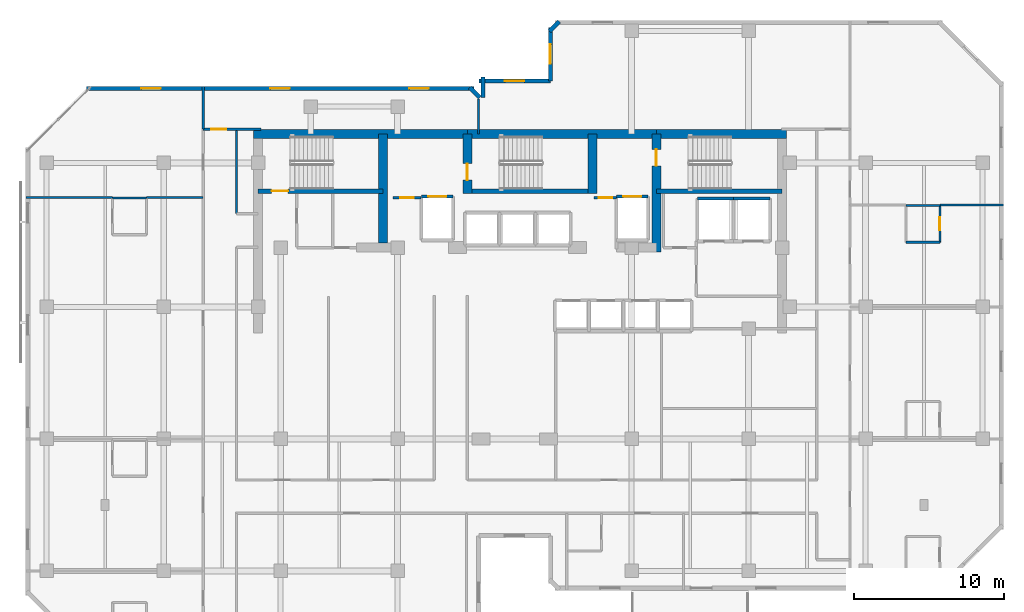
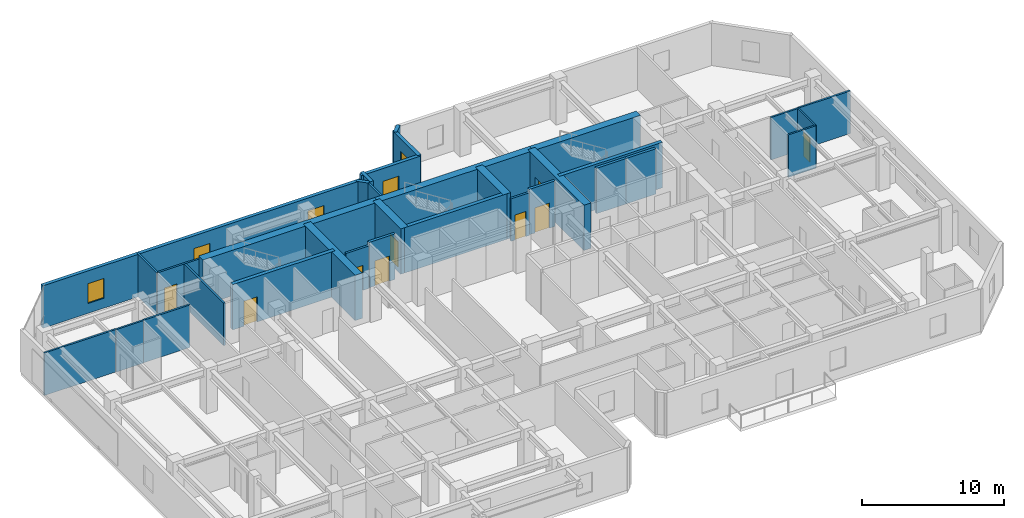
# One storey, part 7 of 10: 33 walls, 9 doors, 5 windows, 14 openings.
"""IFC4 building model written with IfcOpenShell, lengths in metres."""

from ifc_helpers import new_model, si_unit, direction, frame, frame_2d, origin, place, context, subcontext, project, spatial, rectangle, extrude, material, layer, layer_set, type_object, element, fill, save


model = new_model("IFC4")

# Units and contexts
model_context = context("Model", 3, precision=1e-05, world=origin(), true_north=direction((0.0, 1.0)))
body_context = subcontext(model_context, "Body", "Model", "MODEL_VIEW")
ifc_project = project(units=[si_unit("LENGTHUNIT", "METRE"), si_unit("AREAUNIT", "SQUARE_METRE"), si_unit("VOLUMEUNIT", "CUBIC_METRE"), si_unit("PLANEANGLEUNIT", "RADIAN"), si_unit("MASSUNIT", "GRAM", prefix="KILO")], contexts=[model_context])

# Site, building, storey
site_placement = place(None, origin())
site = spatial("IfcSite", under=ifc_project, at=site_placement, CompositionType="ELEMENT")
building_placement = place(site_placement, origin())
building = spatial("IfcBuilding", under=site, at=building_placement, Name="Kestravale Grand Hotel", CompositionType="ELEMENT")
storey_placement = place(building_placement, frame((0.0, 0.0, 196.800048828125)))
storey = spatial("IfcBuildingStorey", under=building, at=storey_placement, Name="L49", CompositionType="ELEMENT", Elevation=196.800048828125)

# Walls
ifc_material_1 = material(Name="Concrete f'c 50 MPa", Category="concrete")
ifc_layer_1 = layer(ifc_material_1, 0.60009765625)
ifc_layer_set_1 = layer_set([ifc_layer_1], Name="EW-CORE-600")
wall_type_1 = type_object("IfcWallType", Name="EW-CORE-600", PredefinedType="SHEAR", material=ifc_layer_set_1)
wall_1_placement = place(storey_placement, frame((21.60009765625, 40.320068359375, 0.0), z_axis=(0.0, 0.0, 1.0), x_axis=(1.0, 0.0, 0.0)))
element("IfcWall", 1, at=wall_1_placement, inside=storey, type_object=wall_type_1, Name="L49 core shear wall N1", PredefinedType="SHEAR", context=body_context, shape_type="SweptSolid", body=[
    extrude(rectangle(XDim=14.25, YDim=0.60009765625, at=frame_2d((7.125, 0.0))), origin(), (0.0, 0.0, 1.0), 3.89990234375),
])
wall_2_placement = place(storey_placement, frame((35.85009765625, 40.320068359375, 0.0), z_axis=(0.0, 0.0, 1.0), x_axis=(1.0, 0.0, 0.0)))
element("IfcWall", 2, at=wall_2_placement, inside=storey, type_object=wall_type_1, Name="L49 core shear wall N2", PredefinedType="SHEAR", context=body_context, shape_type="SweptSolid", body=[
    extrude(rectangle(XDim=12.599853515625, YDim=0.60009765625, at=frame_2d((6.2998046875, 0.0))), origin(), (0.0, 0.0, 1.0), 3.89990234375),
])
wall_3_placement = place(storey_placement, frame((48.449951171875, 40.320068359375, 0.0), z_axis=(0.0, 0.0, 1.0), x_axis=(1.0, 0.0, 0.0)))
element("IfcWall", 3, at=wall_3_placement, inside=storey, type_object=wall_type_1, Name="L49 core shear wall N3", PredefinedType="SHEAR", context=body_context, shape_type="SweptSolid", body=[
    extrude(rectangle(XDim=8.670166015625, YDim=0.60009765625, at=frame_2d((4.3349609375, 0.0))), origin(), (0.0, 0.0, 1.0), 3.89990234375),
])
wall_4_placement = place(storey_placement, frame((30.219970703125, 33.050048828125, 0.0), z_axis=(0.0, 0.0, 1.0), x_axis=(0.0, 1.0, 0.0)))
element("IfcWall", 4, at=wall_4_placement, inside=storey, type_object=wall_type_1, Name="L49 core shear wall X1", PredefinedType="SHEAR", context=body_context, shape_type="SweptSolid", body=[
    extrude(rectangle(XDim=7.27001953125, YDim=0.60009765625, at=frame_2d((3.635009765625, 0.0))), origin(), (0.0, 0.0, 1.0), 3.89990234375),
])

# Wall, opening, door
wall_5_placement = place(storey_placement, frame((35.85009765625, 36.3701171875, 0.0), z_axis=(0.0, 0.0, 1.0), x_axis=(0.0, 1.0, 0.0)))
wall_5 = element("IfcWall", 5, at=wall_5_placement, inside=storey, type_object=wall_type_1, Name="L49 core shear wall X2", PredefinedType="SHEAR", context=body_context, shape_type="SweptSolid", body=[
    extrude(rectangle(XDim=3.949951171875, YDim=0.60009765625, at=frame_2d((1.97509765625, 0.0))), origin(), (0.0, 0.0, 1.0), 3.89990234375),
])
opening_1_placement = place(wall_5_placement, frame((0.8798828125, 0.0, 0.0)))
opening_1 = element("IfcOpeningElement", 6, at=opening_1_placement, cuts=wall_5, Name="Opening D-ST-1100", PredefinedType="OPENING", context=body_context, shape_type="SweptSolid", body=[
    extrude(rectangle(XDim=1.10009765625, YDim=2.14990234375, at=frame_2d((0.550048828125, 1.074951171875))), frame((0.0, 0.31005859375, 0.0), z_axis=(0.0, -1.0, 0.0), x_axis=(1.0, 0.0, 0.0)), (0.0, 0.0, 1.0), 0.6201171875),
])
ifc_material_2 = material(Name="Galvanised 90-minute fire-rated steel stair door", Category="steel")
door_type_1 = type_object("IfcDoorType", Name="D-ST-1100", OperationType="NOTDEFINED", PredefinedType="DOOR", material=ifc_material_2)
door_1_placement = place(opening_1_placement, origin())
door_1 = element("IfcDoor", 7, at=door_1_placement, inside=storey, type_object=door_type_1, Name="L49 Stair ST-2 FSAE fire door", OperationType="SINGLE_SWING_RIGHT", OverallHeight=2.14990234375, OverallWidth=1.10009765625, PredefinedType="DOOR", context=body_context, shape_type="SweptSolid", body=[
    extrude(rectangle(XDim=1.10009765625, YDim=2.14990234375, at=frame_2d((0.550048828125, 1.074951171875))), frame((0.0, 0.02490234375, 0.0), z_axis=(0.0, -1.0, 0.0), x_axis=(1.0, 0.0, 0.0)), (0.0, 0.0, 1.0), 0.050048828125),
])
fill(opening_1, door_1)

# Wall
wall_6_placement = place(storey_placement, frame((44.179931640625, 36.3701171875, 0.0), z_axis=(0.0, 0.0, 1.0), x_axis=(0.0, 1.0, 0.0)))
element("IfcWall", 8, at=wall_6_placement, inside=storey, type_object=wall_type_1, Name="L49 core shear wall X3", PredefinedType="SHEAR", context=body_context, shape_type="SweptSolid", body=[
    extrude(rectangle(XDim=3.949951171875, YDim=0.60009765625, at=frame_2d((1.97509765625, 0.0))), origin(), (0.0, 0.0, 1.0), 3.89990234375),
])

# Wall, opening, door
wall_7_placement = place(storey_placement, frame((48.449951171875, 32.449951171875, 0.0), z_axis=(0.0, 0.0, 1.0), x_axis=(0.0, 1.0, 0.0)))
wall_7 = element("IfcWall", 9, at=wall_7_placement, inside=storey, type_object=wall_type_1, Name="L49 core shear wall X4", PredefinedType="SHEAR", context=body_context, shape_type="SweptSolid", body=[
    extrude(rectangle(XDim=7.8701171875, YDim=0.60009765625, at=frame_2d((3.93505859375, 0.0))), origin(), (0.0, 0.0, 1.0), 3.89990234375),
])
opening_2_placement = place(wall_7_placement, frame((5.75, 0.0, 0.0)))
opening_2 = element("IfcOpeningElement", 10, at=opening_2_placement, cuts=wall_7, Name="Opening D-ST-1100", PredefinedType="OPENING", context=body_context, shape_type="SweptSolid", body=[
    extrude(rectangle(XDim=1.10009765625, YDim=2.14990234375, at=frame_2d((0.550048828125, 1.074951171875))), frame((0.0, 0.31005859375, 0.0), z_axis=(0.0, -1.0, 0.0), x_axis=(1.0, 0.0, 0.0)), (0.0, 0.0, 1.0), 0.6201171875),
])
door_2_placement = place(opening_2_placement, origin())
door_2 = element("IfcDoor", 11, at=door_2_placement, inside=storey, type_object=door_type_1, Name="L49 Stair ST-3 FSAE fire door", OperationType="SINGLE_SWING_RIGHT", OverallHeight=2.14990234375, OverallWidth=1.10009765625, PredefinedType="DOOR", context=body_context, shape_type="SweptSolid", body=[
    extrude(rectangle(XDim=1.10009765625, YDim=2.14990234375, at=frame_2d((0.550048828125, 1.074951171875))), frame((0.0, 0.02490234375, 0.0), z_axis=(0.0, -1.0, 0.0), x_axis=(1.0, 0.0, 0.0)), (0.0, 0.0, 1.0), 0.050048828125),
])
fill(opening_2, door_2)

# Wall
ifc_material_3 = material(Name="Precast concrete f'c 45 MPa", Category="concrete")
ifc_layer_2 = layer(ifc_material_3, 0.280029296875)
ifc_layer_set_2 = layer_set([ifc_layer_2], Name="EW-PREC-280")
wall_type_2 = type_object("IfcWallType", Name="EW-PREC-280", PredefinedType="SOLIDWALL", material=ifc_layer_set_2)
wall_8_placement = place(storey_placement, frame((41.977294921875, 47.829345703125, 0.0), z_axis=(0.0, 0.0, 1.0), x_axis=(-0.706975312048, -0.707238225886, 0.0)))
element("IfcWall", 12, at=wall_8_placement, inside=storey, type_object=wall_type_2, Name="L49 fluted precast facade wall 12", PredefinedType="SOLIDWALL", context=body_context, shape_type="SweptSolid", body=[
    extrude(rectangle(XDim=0.9287109375, YDim=0.280029296875, at=frame_2d((0.46435546875, 0.0))), origin(), (0.0, 0.0, 1.0), 3.64990234375),
])

# Wall, opening, window
wall_9_placement = place(storey_placement, frame((41.389892578125, 47.43994140625, 0.0), z_axis=(0.0, 0.0, 1.0), x_axis=(0.0, -1.0, 0.0)))
wall_9 = element("IfcWall", 13, at=wall_9_placement, inside=storey, type_object=wall_type_2, Name="L49 fluted precast facade wall 13", PredefinedType="SOLIDWALL", context=body_context, shape_type="SweptSolid", body=[
    extrude(rectangle(XDim=3.579833984375, YDim=0.280029296875, at=frame_2d((1.7900390625, 0.0))), origin(), (0.0, 0.0, 1.0), 3.64990234375),
])
opening_3_placement = place(wall_9_placement, frame((1.139892578125, 0.0, 0.85009765625)))
opening_3 = element("IfcOpeningElement", 14, at=opening_3_placement, cuts=wall_9, Name="Opening W-GUEST-1300", PredefinedType="OPENING", context=body_context, shape_type="SweptSolid", body=[
    extrude(rectangle(XDim=1.300048828125, YDim=1.699951171875, at=frame_2d((0.64990234375, 0.85009765625))), frame((0.0, 0.14990234375, 0.0), z_axis=(0.0, -1.0, 0.0), x_axis=(1.0, 0.0, 0.0)), (0.0, 0.0, 1.0), 0.300048828125),
])
ifc_material_4 = material(Name="Insulated low-E double glazing in aluminium frame", Category="aluminium")
window_type = type_object("IfcWindowType", Name="W-GUEST-1300", PartitioningType="SINGLE_PANEL", PredefinedType="WINDOW", material=ifc_material_4)
window_1_placement = place(opening_3_placement, origin())
window_1 = element("IfcWindow", 15, at=window_1_placement, inside=storey, type_object=window_type, Name="L49 exterior window 13.1", OverallHeight=1.699951171875, OverallWidth=1.300048828125, PartitioningType="SINGLE_PANEL", PredefinedType="WINDOW", context=body_context, shape_type="SweptSolid", body=[
    extrude(rectangle(XDim=1.300048828125, YDim=1.699951171875, at=frame_2d((0.64990234375, 0.85009765625))), frame((0.0, 0.030029296875, 0.0), z_axis=(0.0, -1.0, 0.0), x_axis=(1.0, 0.0, 0.0)), (0.0, 0.0, 1.0), 0.06005859375),
])
fill(opening_3, window_1)

wall_10_placement = place(storey_placement, frame((41.389892578125, 43.860107421875, 0.0), z_axis=(0.0, 0.0, 1.0), x_axis=(-1.0, 0.0, 0.0)))
wall_10 = element("IfcWall", 16, at=wall_10_placement, inside=storey, type_object=wall_type_2, Name="L49 fluted precast facade wall 14", PredefinedType="SOLIDWALL", context=body_context, shape_type="SweptSolid", body=[
    extrude(rectangle(XDim=4.77978515625, YDim=0.280029296875, at=frame_2d((2.389892578125, 0.0))), origin(), (0.0, 0.0, 1.0), 3.64990234375),
])
opening_4_placement = place(wall_10_placement, frame((1.739990234375, 0.0, 0.85009765625)))
opening_4 = element("IfcOpeningElement", 17, at=opening_4_placement, cuts=wall_10, Name="Opening W-GUEST-1300", PredefinedType="OPENING", context=body_context, shape_type="SweptSolid", body=[
    extrude(rectangle(XDim=1.300048828125, YDim=1.699951171875, at=frame_2d((0.64990234375, 0.85009765625))), frame((0.0, 0.14990234375, 0.0), z_axis=(0.0, -1.0, 0.0), x_axis=(1.0, 0.0, 0.0)), (0.0, 0.0, 1.0), 0.300048828125),
])
window_2_placement = place(opening_4_placement, origin())
window_2 = element("IfcWindow", 18, at=window_2_placement, inside=storey, type_object=window_type, Name="L49 exterior window 14.1", OverallHeight=1.699951171875, OverallWidth=1.300048828125, PartitioningType="SINGLE_PANEL", PredefinedType="WINDOW", context=body_context, shape_type="SweptSolid", body=[
    extrude(rectangle(XDim=1.300048828125, YDim=1.699951171875, at=frame_2d((0.64990234375, 0.85009765625))), frame((0.0, 0.030029296875, 0.0), z_axis=(0.0, -1.0, 0.0), x_axis=(1.0, 0.0, 0.0)), (0.0, 0.0, 1.0), 0.06005859375),
])
fill(opening_4, window_2)

# Walls
wall_11_placement = place(storey_placement, frame((36.889892578125, 44.139892578125, 0.0), z_axis=(0.0, 0.0, 1.0), x_axis=(0.0, -1.0, 0.0)))
element("IfcWall", 19, at=wall_11_placement, inside=storey, type_object=wall_type_2, Name="L49 fluted precast facade wall 15", PredefinedType="SOLIDWALL", context=body_context, shape_type="SweptSolid", body=[
    extrude(rectangle(XDim=1.3798828125, YDim=0.280029296875, at=frame_2d((0.68994140625, 0.0))), origin(), (0.0, 0.0, 1.0), 3.64990234375),
])
wall_12_placement = place(storey_placement, frame((36.67919921875, 42.772705078125, 0.0), z_axis=(0.0, 0.0, 1.0), x_axis=(-0.707106781187, 0.707106781187, 0.0)))
element("IfcWall", 20, at=wall_12_placement, inside=storey, type_object=wall_type_2, Name="L49 fluted precast facade wall 16", PredefinedType="SOLIDWALL", context=body_context, shape_type="SweptSolid", body=[
    extrude(rectangle(XDim=0.928466796875, YDim=0.280029296875, at=frame_2d((0.46435546875, 0.0))), origin(), (0.0, 0.0, 1.0), 3.64990234375),
])

# Wall, openings, windows
wall_13_placement = place(storey_placement, frame((36.2900390625, 43.360107421875, 0.0), z_axis=(0.0, 0.0, 1.0), x_axis=(-1.0, 0.0, 0.0)))
wall_13 = element("IfcWall", 21, at=wall_13_placement, inside=storey, type_object=wall_type_2, Name="L49 fluted precast facade wall 17", PredefinedType="SOLIDWALL", context=body_context, shape_type="SweptSolid", body=[
    extrude(rectangle(XDim=25.830078125, YDim=0.280029296875, at=frame_2d((12.9150390625, 0.0))), origin(), (0.0, 0.0, 1.0), 3.64990234375),
])
opening_5_placement = place(wall_13_placement, frame((3.0048828125, 0.0, 0.85009765625)))
opening_5 = element("IfcOpeningElement", 22, at=opening_5_placement, cuts=wall_13, Name="Opening W-GUEST-1300", PredefinedType="OPENING", context=body_context, shape_type="SweptSolid", body=[
    extrude(rectangle(XDim=1.300048828125, YDim=1.699951171875, at=frame_2d((0.64990234375, 0.85009765625))), frame((0.0, 0.14990234375, 0.0), z_axis=(0.0, -1.0, 0.0), x_axis=(1.0, 0.0, 0.0)), (0.0, 0.0, 1.0), 0.300048828125),
])
opening_6_placement = place(wall_13_placement, frame((12.264892578125, 0.0, 0.85009765625)))
opening_6 = element("IfcOpeningElement", 23, at=opening_6_placement, cuts=wall_13, Name="Opening W-GUEST-1300", PredefinedType="OPENING", context=body_context, shape_type="SweptSolid", body=[
    extrude(rectangle(XDim=1.300048828125, YDim=1.699951171875, at=frame_2d((0.64990234375, 0.85009765625))), frame((0.0, 0.14990234375, 0.0), z_axis=(0.0, -1.0, 0.0), x_axis=(1.0, 0.0, 0.0)), (0.0, 0.0, 1.0), 0.300048828125),
])
opening_7_placement = place(wall_13_placement, frame((20.875, 0.0, 0.85009765625)))
opening_7 = element("IfcOpeningElement", 24, at=opening_7_placement, cuts=wall_13, Name="Opening W-GUEST-1300", PredefinedType="OPENING", context=body_context, shape_type="SweptSolid", body=[
    extrude(rectangle(XDim=1.300048828125, YDim=1.699951171875, at=frame_2d((0.64990234375, 0.85009765625))), frame((0.0, 0.14990234375, 0.0), z_axis=(0.0, -1.0, 0.0), x_axis=(1.0, 0.0, 0.0)), (0.0, 0.0, 1.0), 0.300048828125),
])
window_3_placement = place(opening_5_placement, origin())
window_3 = element("IfcWindow", 25, at=window_3_placement, inside=storey, type_object=window_type, Name="L49 exterior window 17.1", OverallHeight=1.699951171875, OverallWidth=1.300048828125, PartitioningType="SINGLE_PANEL", PredefinedType="WINDOW", context=body_context, shape_type="SweptSolid", body=[
    extrude(rectangle(XDim=1.300048828125, YDim=1.699951171875, at=frame_2d((0.64990234375, 0.85009765625))), frame((0.0, 0.030029296875, 0.0), z_axis=(0.0, -1.0, 0.0), x_axis=(1.0, 0.0, 0.0)), (0.0, 0.0, 1.0), 0.06005859375),
])
fill(opening_5, window_3)
window_4_placement = place(opening_6_placement, origin())
window_4 = element("IfcWindow", 26, at=window_4_placement, inside=storey, type_object=window_type, Name="L49 exterior window 17.2", OverallHeight=1.699951171875, OverallWidth=1.300048828125, PartitioningType="SINGLE_PANEL", PredefinedType="WINDOW", context=body_context, shape_type="SweptSolid", body=[
    extrude(rectangle(XDim=1.300048828125, YDim=1.699951171875, at=frame_2d((0.64990234375, 0.85009765625))), frame((0.0, 0.030029296875, 0.0), z_axis=(0.0, -1.0, 0.0), x_axis=(1.0, 0.0, 0.0)), (0.0, 0.0, 1.0), 0.06005859375),
])
fill(opening_6, window_4)
window_5_placement = place(opening_7_placement, origin())
window_5 = element("IfcWindow", 27, at=window_5_placement, inside=storey, type_object=window_type, Name="L49 exterior window 17.3", OverallHeight=1.699951171875, OverallWidth=1.300048828125, PartitioningType="SINGLE_PANEL", PredefinedType="WINDOW", context=body_context, shape_type="SweptSolid", body=[
    extrude(rectangle(XDim=1.300048828125, YDim=1.699951171875, at=frame_2d((0.64990234375, 0.85009765625))), frame((0.0, 0.030029296875, 0.0), z_axis=(0.0, -1.0, 0.0), x_axis=(1.0, 0.0, 0.0)), (0.0, 0.0, 1.0), 0.06005859375),
])
fill(opening_7, window_5)

# Wall, opening, door
ifc_material_5 = material(Name="Concrete f'c 45 MPa", Category="concrete")
ifc_layer_3 = layer(ifc_material_5, 0.300048828125)
ifc_layer_set_3 = layer_set([ifc_layer_3], Name="EW-STAIR-300")
wall_type_3 = type_object("IfcWallType", Name="EW-STAIR-300", PredefinedType="SHEAR", material=ifc_layer_set_3)
wall_14_placement = place(storey_placement, frame((21.89990234375, 36.52001953125, 0.0), z_axis=(0.0, 0.0, 1.0), x_axis=(1.0, 0.0, 0.0)))
wall_14 = element("IfcWall", 28, at=wall_14_placement, inside=storey, type_object=wall_type_3, Name="L49 stair enclosure shear wall SST1", PredefinedType="SHEAR", context=body_context, shape_type="SweptSolid", body=[
    extrude(rectangle(XDim=8.320068359375, YDim=0.300048828125, at=frame_2d((4.16015625, 0.0))), origin(), (0.0, 0.0, 1.0), 3.89990234375),
])
opening_8_placement = place(wall_14_placement, frame((0.89990234375, 0.0, 0.0)))
opening_8 = element("IfcOpeningElement", 29, at=opening_8_placement, cuts=wall_14, Name="Opening D-ST-1100", PredefinedType="OPENING", context=body_context, shape_type="SweptSolid", body=[
    extrude(rectangle(XDim=1.10009765625, YDim=2.14990234375, at=frame_2d((0.550048828125, 1.074951171875))), frame((0.0, 0.159912109375, 0.0), z_axis=(0.0, -1.0, 0.0), x_axis=(1.0, 0.0, 0.0)), (0.0, 0.0, 1.0), 0.320068359375),
])
door_3_placement = place(opening_8_placement, origin())
door_3 = element("IfcDoor", 30, at=door_3_placement, inside=storey, type_object=door_type_1, Name="L49 Stair ST-1 fire door", OperationType="SINGLE_SWING_RIGHT", OverallHeight=2.14990234375, OverallWidth=1.10009765625, PredefinedType="DOOR", context=body_context, shape_type="SweptSolid", body=[
    extrude(rectangle(XDim=1.10009765625, YDim=2.14990234375, at=frame_2d((0.550048828125, 1.074951171875))), frame((0.0, 0.02490234375, 0.0), z_axis=(0.0, -1.0, 0.0), x_axis=(1.0, 0.0, 0.0)), (0.0, 0.0, 1.0), 0.050048828125),
])
fill(opening_8, door_3)

# Walls
wall_15_placement = place(storey_placement, frame((35.85009765625, 36.52001953125, 0.0), z_axis=(0.0, 0.0, 1.0), x_axis=(1.0, 0.0, 0.0)))
element("IfcWall", 31, at=wall_15_placement, inside=storey, type_object=wall_type_3, Name="L49 stair enclosure shear wall SST2", PredefinedType="SHEAR", context=body_context, shape_type="SweptSolid", body=[
    extrude(rectangle(XDim=8.329833984375, YDim=0.300048828125, at=frame_2d((4.1650390625, 0.0))), origin(), (0.0, 0.0, 1.0), 3.89990234375),
])
wall_16_placement = place(storey_placement, frame((48.449951171875, 36.52001953125, 0.0), z_axis=(0.0, 0.0, 1.0), x_axis=(1.0, 0.0, 0.0)))
element("IfcWall", 32, at=wall_16_placement, inside=storey, type_object=wall_type_3, Name="L49 stair enclosure shear wall SST3", PredefinedType="SHEAR", context=body_context, shape_type="SweptSolid", body=[
    extrude(rectangle(XDim=8.3701171875, YDim=0.300048828125, at=frame_2d((4.18505859375, 0.0))), origin(), (0.0, 0.0, 1.0), 3.89990234375),
])
ifc_material_6 = material(Name="Acoustic fire-rated gypsum board partition", Category="other")
ifc_layer_4 = layer(ifc_material_6, 0.159912109375)
ifc_layer_set_4 = layer_set([ifc_layer_4], Name="IW-CORR-160")
wall_type_4 = type_object("IfcWallType", Name="IW-CORR-160", PredefinedType="PARTITIONING", material=ifc_layer_set_4)
wall_17_placement = place(storey_placement, frame((20.4599609375, 35.02001953125, 0.0), z_axis=(0.0, 0.0, 1.0), x_axis=(0.0, 1.0, 0.0)))
element("IfcWall", 33, at=wall_17_placement, inside=storey, type_object=wall_type_4, Name="W-L49-SW-EN", PredefinedType="PARTITIONING", context=body_context, shape_type="SweptSolid", body=[
    extrude(rectangle(XDim=5.6298828125, YDim=0.159912109375, at=frame_2d((2.81494140625, 0.0))), origin(), (0.0, 0.0, 1.0), 3.64990234375),
])

# Wall, opening, door
ifc_material_7 = material(Name="Fire-rated gypsum board on steel studs with mineral wool", Category="steel")
ifc_layer_5 = layer(ifc_material_7, 0.179931640625)
ifc_layer_set_5 = layer_set([ifc_layer_5], Name="IW-FSAE-180")
wall_type_5 = type_object("IfcWallType", Name="IW-FSAE-180", PredefinedType="PARTITIONING", material=ifc_layer_set_5)
wall_18_placement = place(storey_placement, frame((30.89990234375, 36.080078125, 0.0), z_axis=(0.0, 0.0, 1.0), x_axis=(1.0, 0.0, 0.0)))
wall_18 = element("IfcWall", 34, at=wall_18_placement, inside=storey, type_object=wall_type_5, Name="L49 FSAE Lobby 1 smoke barrier", PredefinedType="PARTITIONING", context=body_context, shape_type="SweptSolid", body=[
    extrude(rectangle(XDim=1.85009765625, YDim=0.179931640625, at=frame_2d((0.925048828125, 0.0))), origin(), (0.0, 0.0, 1.0), 3.64990234375),
])
opening_9_placement = place(wall_18_placement, frame((0.47998046875, 0.0, 0.0)))
opening_9 = element("IfcOpeningElement", 35, at=opening_9_placement, cuts=wall_18, Name="Opening D-FSAE-1000", PredefinedType="OPENING", context=body_context, shape_type="SweptSolid", body=[
    extrude(rectangle(XDim=0.89990234375, YDim=2.14990234375, at=frame_2d((0.449951171875, 1.074951171875))), frame((0.0, 0.099853515625, 0.0), z_axis=(0.0, -1.0, 0.0), x_axis=(1.0, 0.0, 0.0)), (0.0, 0.0, 1.0), 0.199951171875),
])
ifc_material_8 = material(Name="Smoke-gasketed FSAE lobby fire door", Category="steel")
door_type_2 = type_object("IfcDoorType", Name="D-FSAE-1000", OperationType="NOTDEFINED", PredefinedType="DOOR", material=ifc_material_8)
door_4_placement = place(opening_9_placement, origin())
door_4 = element("IfcDoor", 36, at=door_4_placement, inside=storey, type_object=door_type_2, Name="L49 FSAE Lobby 1 fire door", OperationType="SINGLE_SWING_RIGHT", OverallHeight=2.14990234375, OverallWidth=0.89990234375, PredefinedType="DOOR", context=body_context, shape_type="SweptSolid", body=[
    extrude(rectangle(XDim=0.89990234375, YDim=2.14990234375, at=frame_2d((0.449951171875, 1.074951171875))), frame((0.0, 0.02490234375, 0.0), z_axis=(0.0, -1.0, 0.0), x_axis=(1.0, 0.0, 0.0)), (0.0, 0.0, 1.0), 0.050048828125),
])
fill(opening_9, door_4)

wall_19_placement = place(storey_placement, frame((44.300048828125, 36.080078125, 0.0), z_axis=(0.0, 0.0, 1.0), x_axis=(1.0, 0.0, 0.0)))
wall_19 = element("IfcWall", 37, at=wall_19_placement, inside=storey, type_object=wall_type_5, Name="L49 FSAE Lobby 2 smoke barrier", PredefinedType="PARTITIONING", context=body_context, shape_type="SweptSolid", body=[
    extrude(rectangle(XDim=1.5, YDim=0.179931640625, at=frame_2d((0.75, 0.0))), origin(), (0.0, 0.0, 1.0), 3.64990234375),
])
opening_10_placement = place(wall_19_placement, frame((0.300048828125, 0.0, 0.0)))
opening_10 = element("IfcOpeningElement", 38, at=opening_10_placement, cuts=wall_19, Name="Opening D-FSAE-1000", PredefinedType="OPENING", context=body_context, shape_type="SweptSolid", body=[
    extrude(rectangle(XDim=0.89990234375, YDim=2.14990234375, at=frame_2d((0.449951171875, 1.074951171875))), frame((0.0, 0.099853515625, 0.0), z_axis=(0.0, -1.0, 0.0), x_axis=(1.0, 0.0, 0.0)), (0.0, 0.0, 1.0), 0.199951171875),
])
door_5_placement = place(opening_10_placement, origin())
door_5 = element("IfcDoor", 39, at=door_5_placement, inside=storey, type_object=door_type_2, Name="L49 FSAE Lobby 2 fire door", OperationType="SINGLE_SWING_LEFT", OverallHeight=2.14990234375, OverallWidth=0.89990234375, PredefinedType="DOOR", context=body_context, shape_type="SweptSolid", body=[
    extrude(rectangle(XDim=0.89990234375, YDim=2.14990234375, at=frame_2d((0.449951171875, 1.074951171875))), frame((0.0, 0.02490234375, 0.0), z_axis=(0.0, -1.0, 0.0), x_axis=(1.0, 0.0, 0.0)), (0.0, 0.0, 1.0), 0.050048828125),
])
fill(opening_10, door_5)

# Wall
ifc_material_9 = material(Name="Moisture-resistant tile-backer plumbing chase wall", Category="other")
ifc_layer_6 = layer(ifc_material_9, 0.139892578125)
ifc_layer_set_6 = layer_set([ifc_layer_6], Name="IW-PLB-140")
wall_type_6 = type_object("IfcWallType", Name="IW-PLB-140", PredefinedType="PLUMBINGWALL", material=ifc_layer_set_6)
wall_20_placement = place(storey_placement, frame((12.199951171875, 36.06005859375, 0.0), z_axis=(0.0, 0.0, 1.0), x_axis=(1.0, 0.0, 0.0)))
element("IfcWall", 40, at=wall_20_placement, inside=storey, type_object=wall_type_6, Name="W-L49-U04-BN", PredefinedType="PLUMBINGWALL", context=body_context, shape_type="SweptSolid", body=[
    extrude(rectangle(XDim=2.25, YDim=0.139892578125, at=frame_2d((1.125, 0.0))), origin(), (0.0, 0.0, 1.0), 3.64990234375),
])

# Wall, opening, door
wall_21_placement = place(storey_placement, frame((67.35009765625, 33.110107421875, 0.0), z_axis=(0.0, 0.0, 1.0), x_axis=(0.0, 1.0, 0.0)))
wall_21 = element("IfcWall", 41, at=wall_21_placement, inside=storey, type_object=wall_type_6, Name="W-L49-U07-BE", PredefinedType="PLUMBINGWALL", context=body_context, shape_type="SweptSolid", body=[
    extrude(rectangle(XDim=2.449951171875, YDim=0.139892578125, at=frame_2d((1.22509765625, 0.0))), origin(), (0.0, 0.0, 1.0), 3.64990234375),
])
opening_11_placement = place(wall_21_placement, frame((0.784912109375, 0.0, 0.0)))
opening_11 = element("IfcOpeningElement", 42, at=opening_11_placement, cuts=wall_21, Name="Opening D-BATH-880", PredefinedType="OPENING", context=body_context, shape_type="SweptSolid", body=[
    extrude(rectangle(XDim=0.8798828125, YDim=2.050048828125, at=frame_2d((0.43994140625, 1.02490234375))), frame((0.0, 0.079833984375, 0.0), z_axis=(0.0, -1.0, 0.0), x_axis=(1.0, 0.0, 0.0)), (0.0, 0.0, 1.0), 0.159912109375),
])
ifc_material_10 = material(Name="Moisture-sealed walnut en-suite bathroom door", Category="wood")
door_type_3 = type_object("IfcDoorType", Name="D-BATH-880", OperationType="NOTDEFINED", PredefinedType="DOOR", material=ifc_material_10)
door_6_placement = place(opening_11_placement, origin())
door_6 = element("IfcDoor", 43, at=door_6_placement, inside=storey, type_object=door_type_3, Name="D-L49-U07-BATH", OperationType="SINGLE_SWING_RIGHT", OverallHeight=2.050048828125, OverallWidth=0.8798828125, PredefinedType="DOOR", context=body_context, shape_type="SweptSolid", body=[
    extrude(rectangle(XDim=0.8798828125, YDim=2.050048828125, at=frame_2d((0.43994140625, 1.02490234375))), frame((0.0, 0.02490234375, 0.0), z_axis=(0.0, -1.0, 0.0), x_axis=(1.0, 0.0, 0.0)), (0.0, 0.0, 1.0), 0.050048828125),
])
fill(opening_11, door_6)

# Walls
for number, where, z_axis, x_axis, name in (
    (44, (65.10009765625, 33.110107421875, 0.0), (0.0, 0.0, 1.0), (1.0, 0.0, 0.0), "W-L49-U07-BS"),
    (45, (65.10009765625, 35.56005859375, 0.0), (0.0, 0.0, 1.0), (1.0, 0.0, 0.0), "W-L49-U07-BN"),
):
    element("IfcWall", number, at=place(storey_placement, frame(where, z_axis=z_axis, x_axis=x_axis)), inside=storey, type_object=wall_type_6, Name=name, PredefinedType="PLUMBINGWALL", context=body_context, shape_type="SweptSolid", body=[
        extrude(rectangle(XDim=2.25, YDim=0.139892578125, at=frame_2d((1.125, 0.0))), origin(), (0.0, 0.0, 1.0), 3.64990234375),
    ])
ifc_material_11 = material(Name="Concrete f'c 45 MPa", Category="concrete")
ifc_layer_7 = layer(ifc_material_11, 0.219970703125)
ifc_layer_set_7 = layer_set([ifc_layer_7], Name="IW-SHAFT-220")
wall_type_7 = type_object("IfcWallType", Name="IW-SHAFT-220", PredefinedType="SHEAR", material=ifc_layer_set_7)
wall_22_placement = place(storey_placement, frame((51.179931640625, 36.030029296875, 0.0), z_axis=(0.0, 0.0, 1.0), x_axis=(1.0, 0.0, 0.0)))
element("IfcWall", 46, at=wall_22_placement, inside=storey, type_object=wall_type_7, Name="L49 SL-1 north shaft wall", PredefinedType="SHEAR", context=body_context, shape_type="SweptSolid", body=[
    extrude(rectangle(XDim=2.420166015625, YDim=0.219970703125, at=frame_2d((1.2099609375, 0.0))), origin(), (0.0, 0.0, 1.0), 3.89990234375),
])
wall_23_placement = place(storey_placement, frame((53.60009765625, 36.030029296875, 0.0), z_axis=(0.0, 0.0, 1.0), x_axis=(1.0, 0.0, 0.0)))
element("IfcWall", 47, at=wall_23_placement, inside=storey, type_object=wall_type_7, Name="L49 SL-2 north shaft wall", PredefinedType="SHEAR", context=body_context, shape_type="SweptSolid", body=[
    extrude(rectangle(XDim=2.419921875, YDim=0.219970703125, at=frame_2d((1.2099609375, 0.0))), origin(), (0.0, 0.0, 1.0), 3.89990234375),
])

# Wall, opening, door
wall_24_placement = place(storey_placement, frame((32.804931640625, 36.155029296875, 0.0), z_axis=(0.0, 0.0, 1.0), x_axis=(1.0, 0.0, 0.0)))
wall_24 = element("IfcWall", 48, at=wall_24_placement, inside=storey, type_object=wall_type_7, Name="L49 FL-1 north shaft wall", PredefinedType="SHEAR", context=body_context, shape_type="SweptSolid", body=[
    extrude(rectangle(XDim=2.090087890625, YDim=0.219970703125, at=frame_2d((1.044921875, 0.0))), origin(), (0.0, 0.0, 1.0), 3.89990234375),
])
opening_12_placement = place(wall_24_placement, frame((0.445068359375, 0.0, 0.0)))
opening_12 = element("IfcOpeningElement", 49, at=opening_12_placement, cuts=wall_24, Name="Opening LD-FSAE-1200", PredefinedType="OPENING", context=body_context, shape_type="SweptSolid", body=[
    extrude(rectangle(XDim=1.199951171875, YDim=2.14990234375, at=frame_2d((0.60009765625, 1.074951171875))), frame((0.0, 0.119873046875, 0.0), z_axis=(0.0, -1.0, 0.0), x_axis=(1.0, 0.0, 0.0)), (0.0, 0.0, 1.0), 0.239990234375),
])
ifc_material_12 = material(Name="Stainless fire-service sliding elevator landing door", Category="steel")
door_type_4 = type_object("IfcDoorType", Name="LD-FSAE-1200", OperationType="NOTDEFINED", PredefinedType="DOOR", material=ifc_material_12)
door_7_placement = place(opening_12_placement, origin())
door_7 = element("IfcDoor", 50, at=door_7_placement, inside=storey, type_object=door_type_4, Name="L49 FL-1 elevator landing sliding door", OperationType="DOUBLE_DOOR_SLIDING", OverallHeight=2.14990234375, OverallWidth=1.199951171875, PredefinedType="DOOR", context=body_context, shape_type="SweptSolid", body=[
    extrude(rectangle(XDim=1.199951171875, YDim=2.14990234375, at=frame_2d((0.60009765625, 1.074951171875))), frame((0.0, 0.02490234375, 0.0), z_axis=(0.0, -1.0, 0.0), x_axis=(1.0, 0.0, 0.0)), (0.0, 0.0, 1.0), 0.050048828125),
])
fill(opening_12, door_7)

wall_25_placement = place(storey_placement, frame((45.804931640625, 36.155029296875, 0.0), z_axis=(0.0, 0.0, 1.0), x_axis=(1.0, 0.0, 0.0)))
wall_25 = element("IfcWall", 51, at=wall_25_placement, inside=storey, type_object=wall_type_7, Name="L49 FL-2 north shaft wall", PredefinedType="SHEAR", context=body_context, shape_type="SweptSolid", body=[
    extrude(rectangle(XDim=2.090087890625, YDim=0.219970703125, at=frame_2d((1.044921875, 0.0))), origin(), (0.0, 0.0, 1.0), 3.89990234375),
])
opening_13_placement = place(wall_25_placement, frame((0.445068359375, 0.0, 0.0)))
opening_13 = element("IfcOpeningElement", 52, at=opening_13_placement, cuts=wall_25, Name="Opening LD-FSAE-1200", PredefinedType="OPENING", context=body_context, shape_type="SweptSolid", body=[
    extrude(rectangle(XDim=1.199951171875, YDim=2.14990234375, at=frame_2d((0.60009765625, 1.074951171875))), frame((0.0, 0.119873046875, 0.0), z_axis=(0.0, -1.0, 0.0), x_axis=(1.0, 0.0, 0.0)), (0.0, 0.0, 1.0), 0.239990234375),
])
door_8_placement = place(opening_13_placement, origin())
door_8 = element("IfcDoor", 53, at=door_8_placement, inside=storey, type_object=door_type_4, Name="L49 FL-2 elevator landing sliding door", OperationType="DOUBLE_DOOR_SLIDING", OverallHeight=2.14990234375, OverallWidth=1.199951171875, PredefinedType="DOOR", context=body_context, shape_type="SweptSolid", body=[
    extrude(rectangle(XDim=1.199951171875, YDim=2.14990234375, at=frame_2d((0.60009765625, 1.074951171875))), frame((0.0, 0.02490234375, 0.0), z_axis=(0.0, -1.0, 0.0), x_axis=(1.0, 0.0, 0.0)), (0.0, 0.0, 1.0), 0.050048828125),
])
fill(opening_13, door_8)

ifc_material_13 = material(Name="Double-stud STC 52 acoustic demising partition", Category="other")
ifc_layer_8 = layer(ifc_material_13, 0.14990234375)
ifc_layer_set_8 = layer_set([ifc_layer_8], Name="IW-UNIT-150")
wall_type_8 = type_object("IfcWallType", Name="IW-UNIT-150", PredefinedType="PARTITIONING", material=ifc_layer_set_8)
wall_26_placement = place(storey_placement, frame((18.239990234375, 40.64990234375, 0.0), z_axis=(0.0, 0.0, 1.0), x_axis=(1.0, 0.0, 0.0)))
wall_26 = element("IfcWall", 54, at=wall_26_placement, inside=storey, type_object=wall_type_8, Name="W-L49-SW-N", PredefinedType="PARTITIONING", context=body_context, shape_type="SweptSolid", body=[
    extrude(rectangle(XDim=3.860107421875, YDim=0.14990234375, at=frame_2d((1.93017578125, 0.0))), origin(), (0.0, 0.0, 1.0), 3.64990234375),
])
opening_14_placement = place(wall_26_placement, frame((0.550048828125, 0.0, 0.0)))
opening_14 = element("IfcOpeningElement", 55, at=opening_14_placement, cuts=wall_26, Name="Opening D-GUEST-1000", PredefinedType="OPENING", context=body_context, shape_type="SweptSolid", body=[
    extrude(rectangle(XDim=1.0, YDim=2.14990234375, at=frame_2d((0.5, 1.074951171875))), frame((0.0, 0.0849609375, 0.0), z_axis=(0.0, -1.0, 0.0), x_axis=(1.0, 0.0, 0.0)), (0.0, 0.0, 1.0), 0.169921875),
])
ifc_material_14 = material(Name="Accessible walnut veneer hotel entrance fire door", Category="wood")
door_type_5 = type_object("IfcDoorType", Name="D-GUEST-1000", OperationType="NOTDEFINED", PredefinedType="DOOR", material=ifc_material_14)
door_9_placement = place(opening_14_placement, origin())
door_9 = element("IfcDoor", 56, at=door_9_placement, inside=storey, type_object=door_type_5, Name="L49 NW Gallery Door", OperationType="SINGLE_SWING_RIGHT", OverallHeight=2.14990234375, OverallWidth=1.0, PredefinedType="DOOR", context=body_context, shape_type="SweptSolid", body=[
    extrude(rectangle(XDim=1.0, YDim=2.14990234375, at=frame_2d((0.5, 1.074951171875))), frame((0.0, 0.02490234375, 0.0), z_axis=(0.0, -1.0, 0.0), x_axis=(1.0, 0.0, 0.0)), (0.0, 0.0, 1.0), 0.050048828125),
])
fill(opening_14, door_9)

# Walls
wall_27_placement = place(storey_placement, frame((18.239990234375, 40.64990234375, 0.0), z_axis=(0.0, 0.0, 1.0), x_axis=(0.0, 1.0, 0.0)))
element("IfcWall", 57, at=wall_27_placement, inside=storey, type_object=wall_type_8, Name="W-L49-NGW-W", PredefinedType="PARTITIONING", context=body_context, shape_type="SweptSolid", body=[
    extrude(rectangle(XDim=2.830078125, YDim=0.14990234375, at=frame_2d((1.4150390625, 0.0))), origin(), (0.0, 0.0, 1.0), 3.64990234375),
])
wall_28_placement = place(storey_placement, frame((36.60009765625, 40.320068359375, 0.0), z_axis=(0.0, 0.0, 1.0), x_axis=(0.0, 1.0, 0.0)))
element("IfcWall", 58, at=wall_28_placement, inside=storey, type_object=wall_type_8, Name="W-L49-NGM", PredefinedType="PARTITIONING", context=body_context, shape_type="SweptSolid", body=[
    extrude(rectangle(XDim=2.344970703125, YDim=0.14990234375, at=frame_2d((1.17236328125, 0.0))), origin(), (0.0, 0.0, 1.0), 3.64990234375),
])
wall_29_placement = place(storey_placement, frame((6.419921875, 36.10009765625, 0.0), z_axis=(0.0, 0.0, 1.0), x_axis=(1.0, 0.0, 0.0)))
element("IfcWall", 59, at=wall_29_placement, inside=storey, type_object=wall_type_8, Name="W-L49-WW-3", PredefinedType="PARTITIONING", context=body_context, shape_type="SweptSolid", body=[
    extrude(rectangle(XDim=5.780029296875, YDim=0.14990234375, at=frame_2d((2.89013671875, 0.0))), origin(), (0.0, 0.0, 1.0), 3.64990234375),
])
wall_30_placement = place(storey_placement, frame((14.449951171875, 36.10009765625, 0.0), z_axis=(0.0, 0.0, 1.0), x_axis=(1.0, 0.0, 0.0)))
element("IfcWall", 60, at=wall_30_placement, inside=storey, type_object=wall_type_8, Name="W-L49-WW-3", PredefinedType="PARTITIONING", context=body_context, shape_type="SweptSolid", body=[
    extrude(rectangle(XDim=3.7900390625, YDim=0.14990234375, at=frame_2d((1.89501953125, 0.0))), origin(), (0.0, 0.0, 1.0), 3.64990234375),
])
wall_31_placement = place(storey_placement, frame((67.35009765625, 35.60009765625, 0.0), z_axis=(0.0, 0.0, 1.0), x_axis=(1.0, 0.0, 0.0)))
element("IfcWall", 61, at=wall_31_placement, inside=storey, type_object=wall_type_8, Name="W-L49-EW-3", PredefinedType="PARTITIONING", context=body_context, shape_type="SweptSolid", body=[
    extrude(rectangle(XDim=4.22998046875, YDim=0.14990234375, at=frame_2d((2.114990234375, 0.0))), origin(), (0.0, 0.0, 1.0), 3.64990234375),
])

save(model, "model.ifc")
